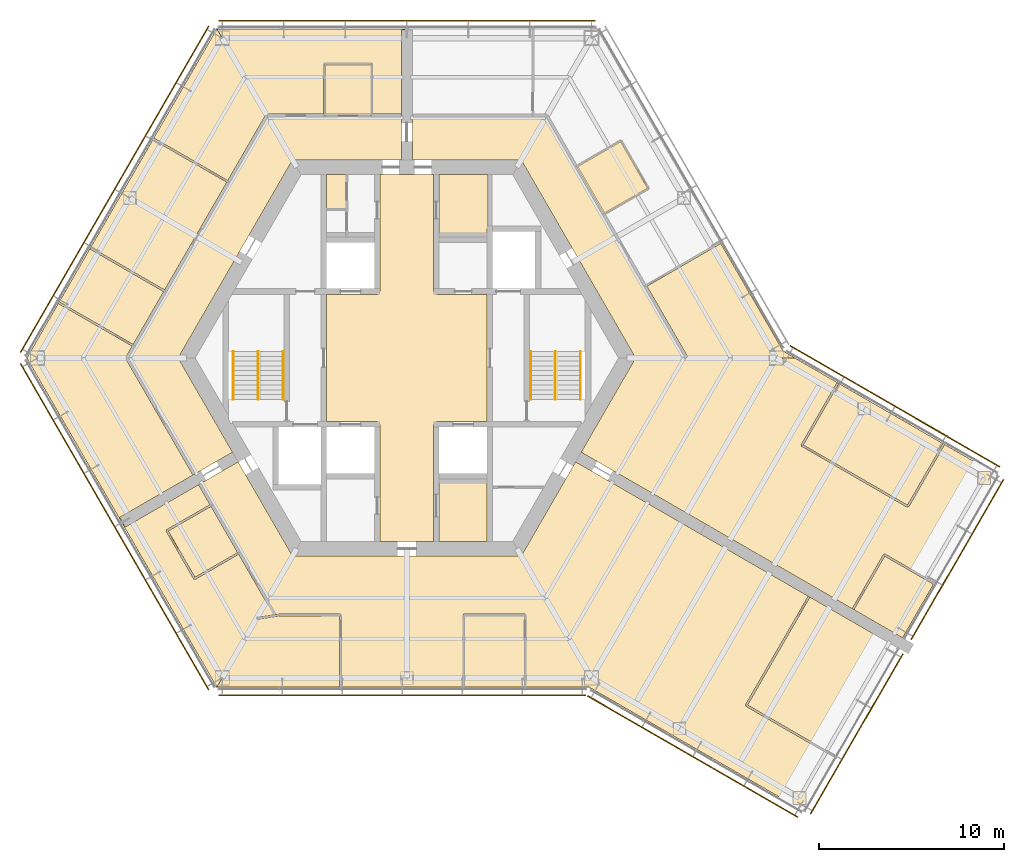
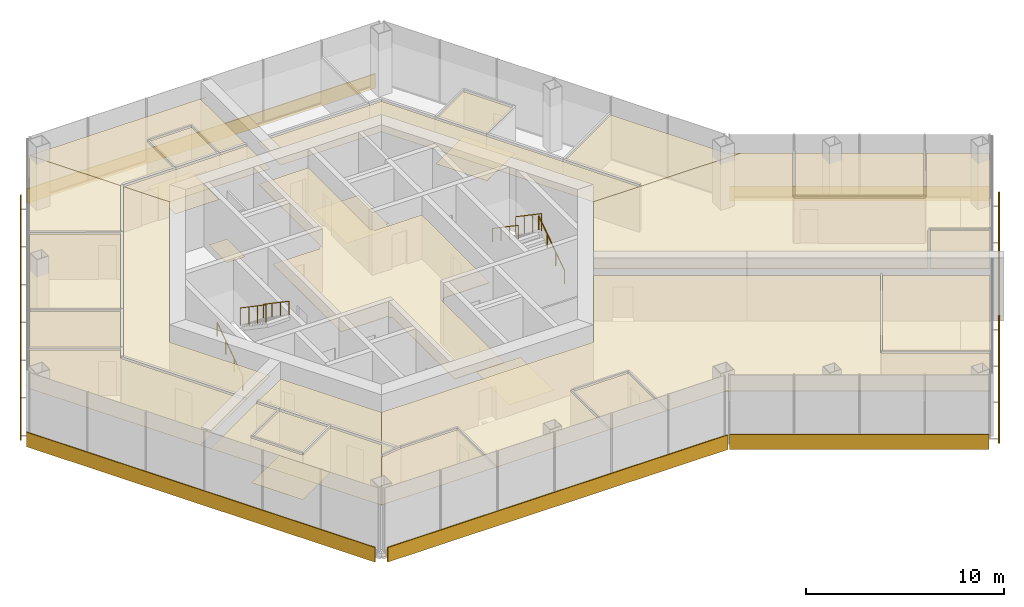
# One storey, part 15 of 16: 28 coverings, 8 shading devices, 6 railings.
"""IFC4 building model written with IfcOpenShell, lengths in metres."""

from ifc_helpers import new_model, si_unit, direction, frame, origin, origin_2d, place, context, subcontext, project, spatial, polyline, rectangle, circle, outline, extrude, material, layer, layer_set, type_object, element, save


model = new_model("IFC4")

# Units and contexts
model_context = context("Model", 3, precision=1e-05, world=origin(), true_north=direction((0.0, 1.0)))
body_context = subcontext(model_context, "Body", "Model", "MODEL_VIEW")
ifc_project = project(units=[si_unit("LENGTHUNIT", "METRE"), si_unit("AREAUNIT", "SQUARE_METRE"), si_unit("VOLUMEUNIT", "CUBIC_METRE"), si_unit("PLANEANGLEUNIT", "RADIAN"), si_unit("MASSUNIT", "GRAM", prefix="KILO")], contexts=[model_context])

# Site, building, storey
site_placement = place(None, origin())
site = spatial("IfcSite", under=ifc_project, at=site_placement, CompositionType="ELEMENT")
building_placement = place(site_placement, origin())
building = spatial("IfcBuilding", under=site, at=building_placement, Name="Kasaneha Research Tower", CompositionType="ELEMENT")
storey_placement = place(building_placement, frame((0.0, 0.0, 263.5)))
storey = spatial("IfcBuildingStorey", under=building, at=storey_placement, Name="L66", CompositionType="ELEMENT", Elevation=263.5)

# Covering
ifc_material_1 = material(Name="Aluminium panel ceiling", Category="aluminium")
ifc_layer_1 = layer(ifc_material_1, 0.0400390625)
ifc_layer_set_1 = layer_set([ifc_layer_1], Name="Lift lobby ceiling 40")
covering_type_1 = type_object("IfcCoveringType", Name="Lift lobby ceiling 40", PredefinedType="CEILING", material=ifc_layer_set_1)
covering_1_placement = place(storey_placement, frame((0.0, 0.0, 2.699951171875)))
element("IfcCovering", 1, at=covering_1_placement, inside=storey, type_object=covering_type_1, Name="Ceiling L66-01", PredefinedType="CEILING", context=body_context, shape_type="SweptSolid", body=[
    extrude(outline(polyline([(1.449951171875, 9.925048828125), (1.449951171875, 3.60009765625), (1.60009765625, 3.60009765625), (1.60009765625, 3.449951171875), (4.35009765625, 3.449951171875), (4.35009765625, -3.449951171875), (1.60009765625, -3.449951171875), (1.60009765625, -3.60009765625), (1.449951171875, -3.60009765625), (1.449951171875, -9.925048828125), (-1.449951171875, -9.925048828125), (-1.449951171875, -3.60009765625), (-1.60009765625, -3.60009765625), (-1.60009765625, -3.449951171875), (-4.35009765625, -3.449951171875), (-4.35009765625, 3.449951171875), (-1.60009765625, 3.449951171875), (-1.60009765625, 3.60009765625), (-1.449951171875, 3.60009765625), (-1.449951171875, 9.925048828125), (1.449951171875, 9.925048828125)])), origin(), (0.0, 0.0, 1.0), 0.0400390625),
])

# Railings
ifc_material_2 = material(Name="Steel", Category="steel")
railing_type_1 = type_object("IfcRailingType", Name="Stair balustrade 1100", PredefinedType="GUARDRAIL", material=ifc_material_2)
for number, where, name in (
    (2, (8.050048828125, 0.35009765625, 2.127197265625), "Stair 1 balustrade L66"),
    (3, (-8.050048828125, 0.35009765625, 2.127197265625), "Stair 2 balustrade L66"),
):
    element("IfcRailing", number, at=place(storey_placement, frame(where)), inside=storey, type_object=railing_type_1, Name=name, PredefinedType="GUARDRAIL", context=body_context, shape_type="SweptSolid", body=[
        extrude(circle(Radius=0.02392578125, at=origin_2d()), frame((0.0, 0.0, 1.076171875), z_axis=(0.0, -0.826240473404, 0.563317565952), x_axis=(1.0, 0.0, 0.0)), (0.0, 0.0, 1.0), 3.14697265625),
        extrude(circle(Radius=0.02099609375, at=origin_2d()), origin(), (0.0, 0.0, 1.0), 1.052001953125),
        extrude(circle(Radius=0.02099609375, at=origin_2d()), frame((0.0, -0.86669921875, 0.5908203125)), (0.0, 0.0, 1.0), 1.052001953125),
        extrude(circle(Radius=0.02099609375, at=origin_2d()), frame((0.0, -1.7333984375, 1.181884765625)), (0.0, 0.0, 1.0), 1.052001953125),
        extrude(circle(Radius=0.02099609375, at=origin_2d()), frame((0.0, -2.60009765625, 1.772705078125)), (0.0, 0.0, 1.0), 1.052001953125),
    ])
ifc_material_3 = material(Name="Steel", Category="steel")
railing_type_2 = type_object("IfcRailingType", Name="Stair handrail 850", PredefinedType="HANDRAIL", material=ifc_material_3)
railing_1_placement = place(storey_placement, frame((9.39990234375, -2.25, 0.17724609375)))
element("IfcRailing", 4, at=railing_1_placement, inside=storey, type_object=railing_type_2, Name="Stair 1 handrail L66", PredefinedType="HANDRAIL", context=body_context, shape_type="SweptSolid", body=[
    extrude(circle(Radius=0.02392578125, at=origin_2d()), frame((0.0, 0.0, 0.826171875), z_axis=(0.0, 0.826240473404, 0.563317565952), x_axis=(-1.0, 0.0, 0.0)), (0.0, 0.0, 1.0), 3.14697265625),
    extrude(circle(Radius=0.02099609375, at=origin_2d()), origin(), (0.0, 0.0, 1.0), 0.802001953125),
    extrude(circle(Radius=0.02099609375, at=origin_2d()), frame((0.0, 0.86669921875, 0.5908203125)), (0.0, 0.0, 1.0), 0.802001953125),
    extrude(circle(Radius=0.02099609375, at=origin_2d()), frame((0.0, 1.7333984375, 1.181884765625)), (0.0, 0.0, 1.0), 0.802001953125),
    extrude(circle(Radius=0.02099609375, at=origin_2d()), frame((0.0, 2.60009765625, 1.772705078125)), (0.0, 0.0, 1.0), 0.802001953125),
])
railing_2_placement = place(storey_placement, frame((6.699951171875, 0.35009765625, 2.127197265625)))
element("IfcRailing", 5, at=railing_2_placement, inside=storey, type_object=railing_type_2, Name="Stair 1 handrail L66", PredefinedType="HANDRAIL", context=body_context, shape_type="SweptSolid", body=[
    extrude(circle(Radius=0.02392578125, at=origin_2d()), frame((0.0, 0.0, 0.826171875), z_axis=(0.0, -0.826240473404, 0.563317565952), x_axis=(1.0, 0.0, 0.0)), (0.0, 0.0, 1.0), 3.14697265625),
    extrude(circle(Radius=0.02099609375, at=origin_2d()), origin(), (0.0, 0.0, 1.0), 0.802001953125),
    extrude(circle(Radius=0.02099609375, at=origin_2d()), frame((0.0, -0.86669921875, 0.5908203125)), (0.0, 0.0, 1.0), 0.802001953125),
    extrude(circle(Radius=0.02099609375, at=origin_2d()), frame((0.0, -1.7333984375, 1.181884765625)), (0.0, 0.0, 1.0), 0.802001953125),
    extrude(circle(Radius=0.02099609375, at=origin_2d()), frame((0.0, -2.60009765625, 1.772705078125)), (0.0, 0.0, 1.0), 0.802001953125),
])
railing_3_placement = place(storey_placement, frame((-9.39990234375, -2.25, 0.17724609375)))
element("IfcRailing", 6, at=railing_3_placement, inside=storey, type_object=railing_type_2, Name="Stair 2 handrail L66", PredefinedType="HANDRAIL", context=body_context, shape_type="SweptSolid", body=[
    extrude(circle(Radius=0.02392578125, at=origin_2d()), frame((0.0, 0.0, 0.826171875), z_axis=(0.0, 0.826240473404, 0.563317565952), x_axis=(-1.0, 0.0, 0.0)), (0.0, 0.0, 1.0), 3.14697265625),
    extrude(circle(Radius=0.02099609375, at=origin_2d()), origin(), (0.0, 0.0, 1.0), 0.802001953125),
    extrude(circle(Radius=0.02099609375, at=origin_2d()), frame((0.0, 0.86669921875, 0.5908203125)), (0.0, 0.0, 1.0), 0.802001953125),
    extrude(circle(Radius=0.02099609375, at=origin_2d()), frame((0.0, 1.7333984375, 1.181884765625)), (0.0, 0.0, 1.0), 0.802001953125),
    extrude(circle(Radius=0.02099609375, at=origin_2d()), frame((0.0, 2.60009765625, 1.772705078125)), (0.0, 0.0, 1.0), 0.802001953125),
])
railing_4_placement = place(storey_placement, frame((-6.699951171875, 0.35009765625, 2.127197265625)))
element("IfcRailing", 7, at=railing_4_placement, inside=storey, type_object=railing_type_2, Name="Stair 2 handrail L66", PredefinedType="HANDRAIL", context=body_context, shape_type="SweptSolid", body=[
    extrude(circle(Radius=0.02392578125, at=origin_2d()), frame((0.0, 0.0, 0.826171875), z_axis=(0.0, -0.826240473404, 0.563317565952), x_axis=(1.0, 0.0, 0.0)), (0.0, 0.0, 1.0), 3.14697265625),
    extrude(circle(Radius=0.02099609375, at=origin_2d()), origin(), (0.0, 0.0, 1.0), 0.802001953125),
    extrude(circle(Radius=0.02099609375, at=origin_2d()), frame((0.0, -0.86669921875, 0.5908203125)), (0.0, 0.0, 1.0), 0.802001953125),
    extrude(circle(Radius=0.02099609375, at=origin_2d()), frame((0.0, -1.7333984375, 1.181884765625)), (0.0, 0.0, 1.0), 0.802001953125),
    extrude(circle(Radius=0.02099609375, at=origin_2d()), frame((0.0, -2.60009765625, 1.772705078125)), (0.0, 0.0, 1.0), 0.802001953125),
])

# Coverings
ifc_material_4 = material(Name="Gypsum ceiling board", Category="gypsum")
ifc_layer_2 = layer(ifc_material_4, 0.02001953125)
ifc_layer_set_2 = layer_set([ifc_layer_2], Name="Suspended ceiling 20")
covering_type_2 = type_object("IfcCoveringType", Name="Suspended ceiling 20", PredefinedType="CEILING", material=ifc_layer_set_2)
covering_2_placement = place(storey_placement, frame((0.0, 0.0, 2.800048828125)))
element("IfcCovering", 8, at=covering_2_placement, inside=storey, type_object=covering_type_2, Name="Ceiling L66-25", PredefinedType="CEILING", context=body_context, shape_type="SweptSolid", body=[
    extrude(outline(polyline([(6.192138671875, 10.72509765625), (0.300048828125, 10.72509765625), (0.300048828125, 11.72509765625), (0.300048828125, 12.72509765625), (0.300048828125, 13.125), (0.320068359375, 13.125), (0.320068359375, 13.050048828125), (6.826416015625, 13.050048828125), (6.8359375, 13.050048828125), (7.534423828125, 13.050048828125), (9.103759765625, 10.33154296875), (9.103759765625, 10.33154296875), (10.599365234375, 7.7412109375), (10.599365234375, 7.7412109375), (12.842529296875, 3.856201171875), (12.842529296875, 3.856201171875), (15.06884765625, 0.0), (12.38427734375, 0.0), (6.192138671875, 10.72509765625)])), origin(), (0.0, 0.0, 1.0), 0.02001953125),
])
covering_3_placement = place(storey_placement, frame((0.0, 0.0, 2.800048828125)))
element("IfcCovering", 9, at=covering_3_placement, inside=storey, type_object=covering_type_2, Name="Ceiling L66-26", PredefinedType="CEILING", context=body_context, shape_type="SweptSolid", body=[
    extrude(outline(polyline([(11.5732421875, 11.70458984375), (13.023193359375, 9.193359375), (10.704345703125, 7.859619140625), (9.2587890625, 10.363525390625), (11.5732421875, 11.70458984375)])), origin(), (0.0, 0.0, 1.0), 0.02001953125),
])
covering_4_placement = place(storey_placement, frame((0.0, 0.0, 2.800048828125)))
element("IfcCovering", 10, at=covering_4_placement, inside=storey, type_object=covering_type_2, Name="Ceiling L66-27", PredefinedType="CEILING", context=body_context, shape_type="SweptSolid", body=[
    extrude(outline(polyline([(18.647705078125, 3.365966796875), (20.374755859375, 0.374755859375), (21.006103515625, 0.010498046875), (21.011962890625, -0.000244140625), (21.006591796875, -0.010009765625), (15.151123046875, -0.010986328125), (15.142333984375, -0.00048828125), (15.15576171875, 0.000244140625), (15.144287109375, 0.020263671875), (15.208740234375, 0.0576171875), (12.99755859375, 3.887939453125), (16.99658203125, 6.201904296875), (18.63134765625, 3.370361328125), (18.640625, 3.37158203125), (18.647705078125, 3.365966796875)])), origin(), (0.0, 0.0, 1.0), 0.02001953125),
])
covering_5_placement = place(storey_placement, frame((0.0, 0.0, 2.800048828125)))
element("IfcCovering", 11, at=covering_5_placement, inside=storey, type_object=covering_type_2, Name="Ceiling L66-30", PredefinedType="CEILING", context=body_context, shape_type="SweptSolid", body=[
    extrude(outline(polyline([(-0.300048828125, 11.72509765625), (-0.300048828125, 10.72509765625), (-6.192138671875, 10.72509765625), (-7.534423828125, 13.050048828125), (-4.469970703125, 13.050048828125), (-4.46044921875, 13.050048828125), (-1.904541015625, 13.050048828125), (-1.89501953125, 13.050048828125), (-0.320068359375, 13.050048828125), (-0.320068359375, 13.125), (-0.300048828125, 13.125), (-0.300048828125, 12.72509765625), (-0.300048828125, 11.72509765625)])), origin(), (0.0, 0.0, 1.0), 0.02001953125),
])
covering_6_placement = place(storey_placement, frame((0.0, 0.0, 2.800048828125)))
element("IfcCovering", 12, at=covering_6_placement, inside=storey, type_object=covering_type_2, Name="Ceiling L66-31", PredefinedType="CEILING", context=body_context, shape_type="SweptSolid", body=[
    extrude(outline(polyline([(-1.954345703125, 13.199951171875), (-4.41064453125, 13.199951171875), (-4.4150390625, 15.875), (-1.9501953125, 15.875), (-1.954345703125, 13.199951171875)])), origin(), (0.0, 0.0, 1.0), 0.02001953125),
])
covering_7_placement = place(storey_placement, frame((0.0, 0.0, 2.800048828125)))
element("IfcCovering", 13, at=covering_7_placement, inside=storey, type_object=covering_type_2, Name="Ceiling L66-32", PredefinedType="CEILING", context=body_context, shape_type="SweptSolid", body=[
    extrude(outline(polyline([(-0.320068359375, 13.12548828125), (-0.320068359375, 13.199951171875), (-1.8544921875, 13.199951171875), (-1.85009765625, 15.9248046875), (-1.899658203125, 15.925048828125), (-1.899658203125, 15.925537109375), (-1.89990234375, 15.925537109375), (-1.89990234375, 15.97509765625), (-4.465087890625, 15.97509765625), (-4.465087890625, 15.925537109375), (-4.465087890625, 15.925048828125), (-4.514892578125, 15.9248046875), (-4.510498046875, 13.199951171875), (-7.5546875, 13.199951171875), (-7.5546875, 13.12548828125), (-7.577880859375, 13.12548828125), (-10.28857421875, 17.820556640625), (0.0, 17.820556640625), (0.0, 17.7705078125), (-0.300048828125, 17.7705078125), (-0.300048828125, 17.7705078125), (-0.300048828125, 13.12548828125), (-0.320068359375, 13.12548828125)])), origin(), (0.0, 0.0, 1.0), 0.02001953125),
])
covering_8_placement = place(storey_placement, frame((0.0, 0.0, 2.800048828125)))
element("IfcCovering", 14, at=covering_8_placement, inside=storey, type_object=covering_type_2, Name="Ceiling L66-33", PredefinedType="CEILING", context=body_context, shape_type="SweptSolid", body=[
    extrude(outline(polyline([(-12.38427734375, 0.0), (-9.438232421875, -5.102783203125), (-10.30419921875, -5.602783203125), (-10.30419921875, -5.602783203125), (-11.170166015625, -6.102783203125), (-11.170166015625, -6.102783203125), (-11.5166015625, -6.302734375), (-11.526611328125, -6.285400390625), (-11.461669921875, -6.247802734375), (-15.06884765625, 0.0), (-14.71484375, 0.613037109375), (-14.71484375, 0.613037109375), (-13.0068359375, 3.5712890625), (-13.0068359375, 3.571533203125), (-9.596435546875, 9.478515625), (-9.596435546875, 9.478515625), (-7.534423828125, 13.050048828125), (-7.534423828125, 13.050048828125), (-6.192138671875, 10.72509765625), (-12.38427734375, 0.0)])), origin(), (0.0, 0.0, 1.0), 0.02001953125),
])
covering_9_placement = place(storey_placement, frame((0.0, 0.0, 2.800048828125)))
element("IfcCovering", 15, at=covering_9_placement, inside=storey, type_object=covering_type_2, Name="Ceiling L66-34", PredefinedType="CEILING", context=body_context, shape_type="SweptSolid", body=[
    extrude(outline(polyline([(-7.577392578125, 13.12548828125), (-7.58935546875, 13.10498046875), (-7.654296875, 13.142578125), (-9.696533203125, 9.60498046875), (-13.7001953125, 11.911376953125), (-10.288330078125, 17.821044921875), (-7.577392578125, 13.12548828125)])), origin(), (0.0, 0.0, 1.0), 0.02001953125),
])
covering_10_placement = place(storey_placement, frame((0.0, 0.0, 2.800048828125)))
element("IfcCovering", 16, at=covering_10_placement, inside=storey, type_object=covering_type_2, Name="Ceiling L66-35", PredefinedType="CEILING", context=body_context, shape_type="SweptSolid", body=[
    extrude(outline(polyline([(-17.12353515625, 5.9423828125), (-17.1484375, 5.899169921875), (-13.16650390625, 3.594970703125), (-14.81982421875, 0.7314453125), (-18.823486328125, 3.037841796875), (-17.140869140625, 5.952392578125), (-17.12353515625, 5.9423828125)])), origin(), (0.0, 0.0, 1.0), 0.02001953125),
])
covering_11_placement = place(storey_placement, frame((0.0, 0.0, 2.800048828125)))
element("IfcCovering", 17, at=covering_11_placement, inside=storey, type_object=covering_type_2, Name="Ceiling L66-36", PredefinedType="CEILING", context=body_context, shape_type="SweptSolid", body=[
    extrude(outline(polyline([(-15.539794921875, -8.62548828125), (-15.3896484375, -8.88525390625), (-15.43310546875, -8.91015625), (-20.577392578125, 0.0), (-18.87353515625, 2.951171875), (-14.869873046875, 0.644775390625), (-15.220458984375, 0.03759765625), (-15.15576171875, 0.000244140625), (-15.156005859375, -0.000244140625), (-15.15576171875, -0.000244140625), (-15.220458984375, -0.03759765625), (-11.591552734375, -6.322998046875), (-11.527099609375, -6.28564453125), (-11.51708984375, -6.302978515625), (-15.539794921875, -8.62548828125), (-15.539794921875, -8.62548828125), (-15.539794921875, -8.62548828125)])), origin(), (0.0, 0.0, 1.0), 0.02001953125),
])
covering_12_placement = place(storey_placement, frame((0.0, 0.0, 2.800048828125)))
element("IfcCovering", 18, at=covering_12_placement, inside=storey, type_object=covering_type_2, Name="Ceiling L66-37", PredefinedType="CEILING", context=body_context, shape_type="SweptSolid", body=[
    extrude(outline(polyline([(-17.140380859375, 5.952880859375), (-13.750244140625, 11.82470703125), (-9.74658203125, 9.5185546875), (-13.116455078125, 3.681640625), (-17.098388671875, 5.985595703125), (-17.123291015625, 5.94287109375), (-17.140380859375, 5.952880859375)])), origin(), (0.0, 0.0, 1.0), 0.02001953125),
])
covering_13_placement = place(storey_placement, frame((0.0, 0.0, 2.800048828125)))
element("IfcCovering", 19, at=covering_13_placement, inside=storey, type_object=covering_type_2, Name="Ceiling L66-38", PredefinedType="CEILING", context=body_context, shape_type="SweptSolid", body=[
    extrude(outline(polyline([(-10.8701171875, -6.622314453125), (-10.004150390625, -6.122314453125), (-10.004150390625, -6.122314453125), (-9.13818359375, -5.622314453125), (-6.192138671875, -10.72509765625), (-7.534423828125, -13.050048828125), (-9.00390625, -10.5048828125), (-9.00390625, -10.5048828125), (-10.49951171875, -7.91455078125), (-10.499267578125, -7.91455078125), (-11.1416015625, -6.802001953125), (-11.20654296875, -6.839599609375), (-11.216552734375, -6.822265625), (-10.8701171875, -6.622314453125), (-10.8701171875, -6.622314453125)])), origin(), (0.0, 0.0, 1.0), 0.02001953125),
])
covering_14_placement = place(storey_placement, frame((0.0, 0.0, 2.800048828125)))
element("IfcCovering", 20, at=covering_14_placement, inside=storey, type_object=covering_type_2, Name="Ceiling L66-39", PredefinedType="CEILING", context=body_context, shape_type="SweptSolid", body=[
    extrude(outline(polyline([(-9.15869140625, -10.53662109375), (-11.47314453125, -11.8779296875), (-12.923095703125, -9.366455078125), (-10.604248046875, -8.03271484375), (-9.15869140625, -10.53662109375)])), origin(), (0.0, 0.0, 1.0), 0.02001953125),
])
covering_15_placement = place(storey_placement, frame((0.0, 0.0, 2.800048828125)))
element("IfcCovering", 21, at=covering_15_placement, inside=storey, type_object=covering_type_2, Name="Ceiling L66-40", PredefinedType="CEILING", context=body_context, shape_type="SweptSolid", body=[
    extrude(outline(polyline([(-11.20703125, -6.83984375), (-11.271484375, -6.877197265625), (-10.654296875, -7.946044921875), (-13.016357421875, -9.3046875), (-12.99169921875, -9.347900390625), (-12.991943359375, -9.34814453125), (-12.991943359375, -9.348388671875), (-13.034912109375, -9.373046875), (-11.534912109375, -11.97119140625), (-11.491943359375, -11.946533203125), (-11.491943359375, -11.946533203125), (-11.491455078125, -11.9462890625), (-11.46630859375, -11.989501953125), (-9.108642578125, -10.623291015625), (-7.654296875, -13.142578125), (-7.589599609375, -13.105224609375), (-7.577880859375, -13.12548828125), (-8.109619140625, -14.046142578125), (-8.12353515625, -14.048095703125), (-8.120849609375, -14.06591796875), (-10.28857421875, -17.820556640625), (-15.43310546875, -8.91015625), (-15.3896484375, -8.88525390625), (-15.23974609375, -9.14501953125), (-15.23974609375, -9.14501953125), (-15.23974609375, -9.14501953125), (-11.217041015625, -6.822509765625), (-11.20703125, -6.83984375)])), origin(), (0.0, 0.0, 1.0), 0.02001953125),
])
covering_16_placement = place(storey_placement, frame((0.0, 0.0, 2.800048828125)))
element("IfcCovering", 22, at=covering_16_placement, inside=storey, type_object=covering_type_2, Name="Ceiling L66-41", PredefinedType="CEILING", context=body_context, shape_type="SweptSolid", body=[
    extrude(outline(polyline([(29.03173828125, -4.63720703125), (27.106689453125, -7.97119140625), (21.46044921875, -4.71142578125), (23.37548828125, -1.39453125), (23.332275390625, -1.36962890625), (23.34228515625, -1.352294921875), (29.03173828125, -4.63720703125)])), origin(), (0.0, 0.0, 1.0), 0.02001953125),
])
covering_17_placement = place(storey_placement, frame((0.0, 0.0, 2.800048828125)))
element("IfcCovering", 23, at=covering_17_placement, inside=storey, type_object=covering_type_2, Name="Ceiling L66-42", PredefinedType="CEILING", context=body_context, shape_type="SweptSolid", body=[
    extrude(outline(polyline([(24.15673828125, -13.600341796875), (24.166748046875, -13.5830078125), (24.2099609375, -13.608154296875), (25.875, -10.724365234375), (28.516357421875, -12.249267578125), (26.84130859375, -15.150390625), (24.15673828125, -13.600341796875)])), origin(), (0.0, 0.0, 1.0), 0.02001953125),
])
covering_18_placement = place(storey_placement, frame((0.0, 0.0, 2.800048828125)))
element("IfcCovering", 24, at=covering_18_placement, inside=storey, type_object=covering_type_2, Name="Ceiling L66-43", PredefinedType="CEILING", context=body_context, shape_type="SweptSolid", body=[
    extrude(outline(polyline([(10.30419921875, -5.602783203125), (10.30419921875, -5.602783203125), (9.438232421875, -5.102783203125), (12.38427734375, 0.0), (15.06884765625, 0.0), (15.078857421875, -0.017578125), (15.109375, 0.0), (21.0, 0.0), (23.341796875, -1.35205078125), (23.331787109375, -1.369384765625), (23.288818359375, -1.344482421875), (21.348876953125, -4.704833984375), (21.39208984375, -4.729736328125), (21.391845703125, -4.72998046875), (21.39208984375, -4.730224609375), (21.3671875, -4.773193359375), (27.10009765625, -8.0830078125), (27.125, -8.03955078125), (27.168212890625, -8.064697265625), (29.1181640625, -4.68701171875), (31.94140625, -6.31689453125), (28.56640625, -12.16259765625), (25.881591796875, -10.61279296875), (25.85693359375, -10.65576171875), (25.8564453125, -10.655517578125), (25.8564453125, -10.65576171875), (25.8134765625, -10.631103515625), (24.123291015625, -13.55810546875), (24.166259765625, -13.582763671875), (24.15625, -13.60009765625), (11.170166015625, -6.102783203125), (11.170166015625, -6.102783203125), (10.30419921875, -5.602783203125)])), origin(), (0.0, 0.0, 1.0), 0.02001953125),
])
covering_19_placement = place(storey_placement, frame((0.0, 0.0, 2.800048828125)))
element("IfcCovering", 25, at=covering_19_placement, inside=storey, type_object=covering_type_2, Name="Ceiling L66-44", PredefinedType="CEILING", context=body_context, shape_type="SweptSolid", body=[
    extrude(outline(polyline([(23.141357421875, -21.55908203125), (23.1240234375, -21.549072265625), (23.14892578125, -21.505615234375), (18.446533203125, -18.790771484375), (21.8115234375, -12.96240234375), (21.768310546875, -12.9375), (21.7783203125, -12.920166015625), (24.764404296875, -14.64404296875), (26.541259765625, -15.670166015625), (23.141357421875, -21.55908203125)])), origin(), (0.0, 0.0, 1.0), 0.02001953125),
])
covering_20_placement = place(storey_placement, frame((0.0, 0.0, 2.800048828125)))
element("IfcCovering", 26, at=covering_20_placement, inside=storey, type_object=covering_type_2, Name="Ceiling L66-45", PredefinedType="CEILING", context=body_context, shape_type="SweptSolid", body=[
    extrude(outline(polyline([(-8.12109375, -14.065185546875), (-8.120849609375, -14.066650390625), (-8.140869140625, -14.101318359375), (-8.1162109375, -14.09765625), (-8.10888671875, -14.14697265625), (-6.911865234375, -13.969482421875), (-3.634521484375, -13.970458984375), (-3.634521484375, -17.800537109375), (-3.58447265625, -17.800537109375), (-3.58447265625, -17.820556640625), (-10.2890625, -17.820556640625), (-8.12109375, -14.065185546875)])), origin(), (0.0, 0.0, 1.0), 0.02001953125),
])
covering_21_placement = place(storey_placement, frame((0.0, 0.0, 2.800048828125)))
element("IfcCovering", 27, at=covering_21_placement, inside=storey, type_object=covering_type_2, Name="Ceiling L66-46", PredefinedType="CEILING", context=body_context, shape_type="SweptSolid", body=[
    extrude(outline(polyline([(3.077392578125, -17.820556640625), (3.077392578125, -17.800537109375), (3.12744140625, -17.800537109375), (3.12744140625, -13.970458984375), (6.3583984375, -13.970458984375), (6.3583984375, -17.800537109375), (6.408203125, -17.800537109375), (6.408203125, -17.820556640625), (3.077392578125, -17.820556640625)])), origin(), (0.0, 0.0, 1.0), 0.02001953125),
])
covering_22_placement = place(storey_placement, frame((0.0, 0.0, 2.800048828125)))
element("IfcCovering", 28, at=covering_22_placement, inside=storey, type_object=covering_type_2, Name="Ceiling L66-47", PredefinedType="CEILING", context=body_context, shape_type="SweptSolid", body=[
    extrude(outline(polyline([(10.004150390625, -6.122314453125), (10.004150390625, -6.122314453125), (10.8701171875, -6.622314453125), (10.8701171875, -6.622314453125), (16.312744140625, -9.7646484375), (21.77783203125, -12.919921875), (21.767822265625, -12.937255859375), (21.724853515625, -12.912353515625), (18.3349609375, -18.783935546875), (18.3779296875, -18.808837890625), (18.377685546875, -18.80908203125), (18.378173828125, -18.809326171875), (18.353271484375, -18.852294921875), (23.09912109375, -21.59228515625), (23.123779296875, -21.549560546875), (23.14111328125, -21.5595703125), (21.44140625, -24.50341796875), (9.865966796875, -17.820556640625), (6.40869140625, -17.820556640625), (6.40869140625, -17.800537109375), (6.458251953125, -17.800537109375), (6.458251953125, -13.92041015625), (6.408447265625, -13.92041015625), (6.408447265625, -13.920166015625), (6.408203125, -13.920166015625), (6.408203125, -13.87060546875), (3.077392578125, -13.87060546875), (3.077392578125, -13.920166015625), (3.076904296875, -13.920166015625), (3.076904296875, -13.92041015625), (3.02734375, -13.92041015625), (3.02734375, -17.800537109375), (3.076904296875, -17.800537109375), (3.076904296875, -17.820556640625), (-3.583984375, -17.820556640625), (-3.583984375, -17.800537109375), (-3.534423828125, -17.800537109375), (-3.534423828125, -13.92041015625), (-3.584228515625, -13.92041015625), (-3.584228515625, -13.920166015625), (-3.58447265625, -13.920166015625), (-3.58447265625, -13.87060546875), (-6.91552734375, -13.869384765625), (-6.91552734375, -13.91943359375), (-6.9228515625, -13.8701171875), (-8.10888671875, -14.0458984375), (-7.5537109375, -13.08447265625), (-7.5244140625, -13.0673828125), (-7.5341796875, -13.050537109375), (-6.191650390625, -10.72509765625), (6.192138671875, -10.72509765625), (9.13818359375, -5.622314453125), (10.004150390625, -6.122314453125)])), origin(), (0.0, 0.0, 1.0), 0.02001953125),
])

# Shading devices
ifc_material_5 = material(Name="Terracotta", Category="masonry")
ifc_layer_3 = layer(ifc_material_5, 0.06005859375)
ifc_layer_set_3 = layer_set([ifc_layer_3], Name="Terracotta baguette screen")
shading_device_type = type_object("IfcShadingDeviceType", Name="Terracotta baguette screen", PredefinedType="USERDEFINED", material=ifc_layer_set_3)
for number, where, z_axis, x_axis, name in (
    (29, (0.0, 18.2705078125, -0.449951171875), (0.0, 0.0, 1.0), (-1.0, 0.0, 0.0), "Baguette screen L66 02"),
    (30, (-15.82275390625, 9.13525390625, -0.449951171875), (0.0, 0.0, 1.0), (-0.499999995722, -0.866025406254, 0.0), "Baguette screen L66 03"),
    (31, (-15.82275390625, -9.13525390625, -0.449951171875), (0.0, 0.0, 1.0), (0.499999995722, -0.866025406254, 0.0), "Baguette screen L66 04"),
):
    element("IfcShadingDevice", number, at=place(storey_placement, frame(where, z_axis=z_axis, x_axis=x_axis)), inside=storey, type_object=shading_device_type, Name=name, ObjectType="TERRACOTTA BAGUETTE SCREEN", PredefinedType="USERDEFINED", context=body_context, shape_type="SweptSolid", body=[
        extrude(rectangle(XDim=20.392822265625, YDim=0.06005859375, at=origin_2d()), origin(), (0.0, 0.0, 1.0), 0.89990234375),
    ])
shading_device_1_placement = place(storey_placement, frame((-0.253662109375, -18.2705078125, -0.449951171875), z_axis=(0.0, 0.0, 1.0), x_axis=(1.0, 0.0, 0.0)))
element("IfcShadingDevice", 32, at=shading_device_1_placement, inside=storey, type_object=shading_device_type, Name="Baguette screen L66 05", ObjectType="TERRACOTTA BAGUETTE SCREEN", PredefinedType="USERDEFINED", context=body_context, shape_type="SweptSolid", body=[
    extrude(rectangle(XDim=19.8857421875, YDim=0.06005859375, at=origin_2d()), origin(), (0.0, 0.0, 1.0), 0.89990234375),
])
shading_device_2_placement = place(storey_placement, frame((15.483642578125, -21.58349609375, -0.449951171875), z_axis=(0.0, 0.0, 1.0), x_axis=(0.866025411464, -0.499999986699, 0.0)))
element("IfcShadingDevice", 33, at=shading_device_2_placement, inside=storey, type_object=shading_device_type, Name="Baguette screen L66 06", ObjectType="TERRACOTTA BAGUETTE SCREEN", PredefinedType="USERDEFINED", context=body_context, shape_type="SweptSolid", body=[
    extrude(rectangle(XDim=13.13916015625, YDim=0.06005859375, at=origin_2d()), origin(), (0.0, 0.0, 1.0), 0.89990234375),
])
for number, where, z_axis, x_axis, name in (
    (34, (24.35595703125, -20.35498046875, -0.449951171875), (0.0, 0.0, 1.0), (0.500000011442, 0.866025397178, 0.0), "Baguette screen L66 07"),
    (35, (29.80615234375, -10.91552734375, -0.449951171875), (0.0, 0.0, 1.0), (0.500000011442, 0.866025397178, 0.0), "Baguette screen L66 08"),
):
    element("IfcShadingDevice", number, at=place(storey_placement, frame(where, z_axis=z_axis, x_axis=x_axis)), inside=storey, type_object=shading_device_type, Name=name, ObjectType="TERRACOTTA BAGUETTE SCREEN", PredefinedType="USERDEFINED", context=body_context, shape_type="SweptSolid", body=[
        extrude(rectangle(XDim=10.0, YDim=0.06005859375, at=origin_2d()), origin(), (0.0, 0.0, 1.0), 0.89990234375),
    ])
shading_device_3_placement = place(storey_placement, frame((26.43359375, -2.617431640625, -0.449951171875), z_axis=(0.0, 0.0, 1.0), x_axis=(-0.866025411464, 0.499999986699, 0.0)))
element("IfcShadingDevice", 36, at=shading_device_3_placement, inside=storey, type_object=shading_device_type, Name="Baguette screen L66 09", ObjectType="TERRACOTTA BAGUETTE SCREEN", PredefinedType="USERDEFINED", context=body_context, shape_type="SweptSolid", body=[
    extrude(rectangle(XDim=13.13916015625, YDim=0.06005859375, at=origin_2d()), origin(), (0.0, 0.0, 1.0), 0.89990234375),
])

# Coverings
ifc_material_6 = material(Name="Vinyl sheet flooring", Category="plastic")
ifc_layer_4 = layer(ifc_material_6, 0.0048828125)
ifc_layer_set_4 = layer_set([ifc_layer_4], Name="Wet room sheet flooring 5")
covering_type_3 = type_object("IfcCoveringType", Name="Wet room sheet flooring 5", PredefinedType="FLOORING", material=ifc_layer_set_4)
covering_23_placement = place(storey_placement, origin())
element("IfcCovering", 37, at=covering_23_placement, inside=storey, type_object=covering_type_3, Name="Floor finish L66-07", PredefinedType="FLOORING", context=body_context, shape_type="SweptSolid", body=[
    extrude(outline(polyline([(-4.35009765625, 8.10009765625), (-4.35009765625, 9.925048828125), (-3.300048828125, 9.925048828125), (-3.300048828125, 8.10009765625), (-4.35009765625, 8.10009765625)])), origin(), (0.0, 0.0, 1.0), 0.0048828125),
])
covering_24_placement = place(storey_placement, origin())
element("IfcCovering", 38, at=covering_24_placement, inside=storey, type_object=covering_type_3, Name="Floor finish L66-09", PredefinedType="FLOORING", context=body_context, shape_type="SweptSolid", body=[
    extrude(outline(polyline([(4.39892578125, 9.925048828125), (4.39892578125, 7.14990234375), (4.39892578125, 7.14990234375), (4.39892578125, 7.14990234375), (4.39892578125, 7.149658203125), (4.399169921875, 7.149658203125), (4.399169921875, 7.1494140625), (4.399169921875, 7.1494140625), (4.399169921875, 7.1494140625), (4.399169921875, 7.149169921875), (4.3994140625, 7.149169921875), (4.3994140625, 7.149169921875), (4.3994140625, 7.149169921875), (4.399658203125, 7.149169921875), (4.399658203125, 7.14892578125), (4.39990234375, 7.14892578125), (4.39990234375, 7.14892578125), (4.39990234375, 7.14892578125), (4.5, 7.14892578125), (4.5, 7.0), (4.35009765625, 7.0), (4.35009765625, 6.550048828125), (1.75, 6.550048828125), (1.75, 9.925048828125), (4.39892578125, 9.925048828125)])), origin(), (0.0, 0.0, 1.0), 0.0048828125),
])
covering_25_placement = place(storey_placement, origin())
element("IfcCovering", 39, at=covering_25_placement, inside=storey, type_object=covering_type_3, Name="Floor finish L66-11", PredefinedType="FLOORING", context=body_context, shape_type="SweptSolid", body=[
    extrude(outline(polyline([(1.75, -9.925048828125), (1.75, -6.550048828125), (4.35009765625, -6.550048828125), (4.35009765625, -9.925048828125), (1.75, -9.925048828125)])), origin(), (0.0, 0.0, 1.0), 0.0048828125),
])
covering_26_placement = place(storey_placement, origin())
element("IfcCovering", 40, at=covering_26_placement, inside=storey, type_object=covering_type_3, Name="Floor finish L66-26", PredefinedType="FLOORING", context=body_context, shape_type="SweptSolid", body=[
    extrude(outline(polyline([(11.591552734375, 11.77294921875), (13.091552734375, 9.175048828125), (10.66650390625, 7.77490234375), (9.16650390625, 10.373046875), (11.591552734375, 11.77294921875)])), origin(), (0.0, 0.0, 1.0), 0.0048828125),
])
covering_27_placement = place(storey_placement, origin())
element("IfcCovering", 41, at=covering_27_placement, inside=storey, type_object=covering_type_3, Name="Floor finish L66-31", PredefinedType="FLOORING", context=body_context, shape_type="SweptSolid", body=[
    extrude(outline(polyline([(-4.465087890625, 15.925048828125), (-1.89990234375, 15.925048828125), (-1.89990234375, 13.125), (-4.465087890625, 13.125), (-4.465087890625, 15.925048828125)])), origin(), (0.0, 0.0, 1.0), 0.0048828125),
])
covering_28_placement = place(storey_placement, origin())
element("IfcCovering", 42, at=covering_28_placement, inside=storey, type_object=covering_type_3, Name="Floor finish L66-39", PredefinedType="FLOORING", context=body_context, shape_type="SweptSolid", body=[
    extrude(outline(polyline([(-11.491455078125, -11.9462890625), (-12.991455078125, -9.34814453125), (-10.566650390625, -7.9482421875), (-9.066650390625, -10.546142578125), (-11.491455078125, -11.9462890625)])), origin(), (0.0, 0.0, 1.0), 0.0048828125),
])

save(model, "model.ifc")
